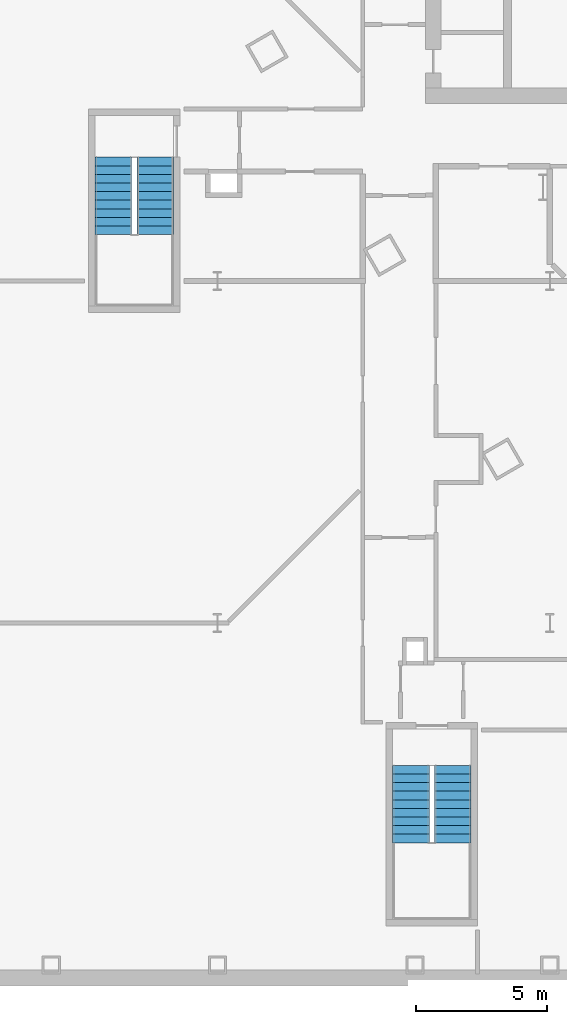
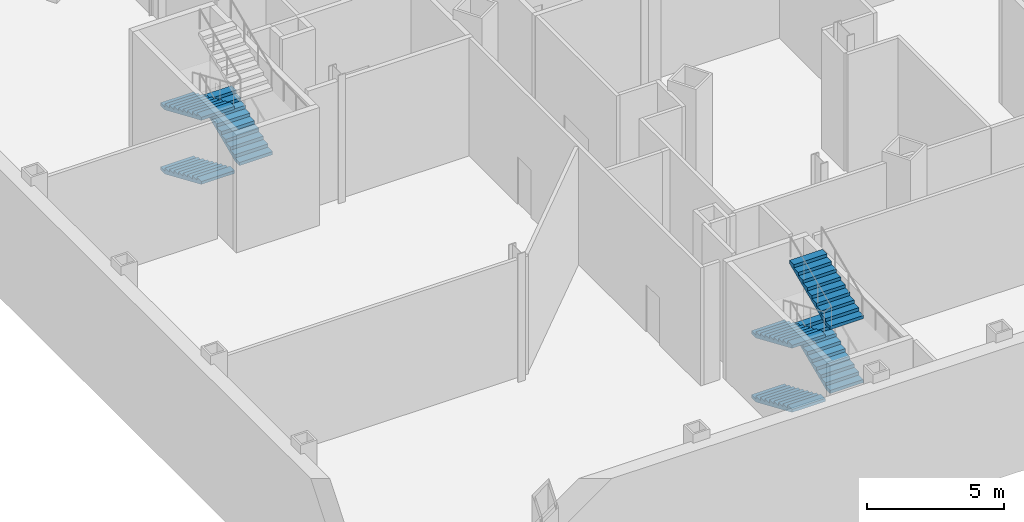
# One storey, part 12 of 18: 7 stair flights, 2 elements without a shape of their own.
"""IFC4 building model written with IfcOpenShell, lengths in metres."""

import ifcopenshell
import ifcopenshell.guid

model = None  # the IFC model being written
_history = None  # IfcOwnerHistory: only IFC2X3 demands one
_inside = {}  # id of a spatial element -> (the spatial element, [elements in it])
_under = {}  # id of a project, library or spatial element -> (it, [spatial elements below it])
_declared = {}  # id of a project -> (the project, [libraries it declares])
_typed = {}  # id of a type object -> (the type object, [elements of that type])
_made_of = {}  # id of a material, layer set ... -> (it, [elements and type objects made of it])


def new_model(schema):
    """Start an empty IFC model of exactly this schema.

    Asked for "IFC4X3", IfcOpenShell would pick the latest addendum, in which some entities
    have other attributes; the version numbers below select the first issue.
    IFC2X3 requires an IfcOwnerHistory on every rooted entity: one is made here for all.
    """
    global model, _history
    if schema == "IFC4X3":
        model = ifcopenshell.file(schema_version=(4, 3, 0, 0))
    else:
        model = ifcopenshell.file(schema=schema)
    _inside.clear()
    _under.clear()
    _declared.clear()
    _typed.clear()
    _made_of.clear()
    _history = None
    if model.schema == "IFC2X3":
        org = make("IfcOrganization", Name="unknown")
        user = make(
            "IfcPersonAndOrganization",
            ThePerson=make("IfcPerson", FamilyName="unknown"),
            TheOrganization=org,
        )
        app = make(
            "IfcApplication",
            ApplicationDeveloper=org,
            Version="unknown",
            ApplicationFullName="unknown",
            ApplicationIdentifier="unknown",
        )
        _history = make(
            "IfcOwnerHistory",
            OwningUser=user,
            OwningApplication=app,
            ChangeAction="ADDED",
            CreationDate=0,
        )
    return model


def make(cls, **values):
    """One entity of the class cls with the attributes given. An attribute that is None is left unset."""
    return model.create_entity(
        cls, **{name: value for name, value in values.items() if value is not None}
    )


def rooted(cls, **values):
    """An entity with a GlobalId (a new one), such as an element, a storey or a relation."""
    return make(cls, GlobalId=ifcopenshell.guid.new(), OwnerHistory=_history, **values)


def si_unit(unit_type, name, prefix=None):
    """IfcSIUnit, for example si_unit("LENGTHUNIT", "METRE", prefix="MILLI")."""
    return make("IfcSIUnit", UnitType=unit_type, Prefix=prefix, Name=name)


def assignment(units):
    """IfcUnitAssignment: the units of a project."""
    return None if units is None else make("IfcUnitAssignment", Units=units)


def point(xyz):
    """IfcCartesianPoint."""
    return None if xyz is None else make("IfcCartesianPoint", Coordinates=xyz)


def direction(xyz):
    """IfcDirection."""
    return None if xyz is None else make("IfcDirection", DirectionRatios=xyz)


def frame(location, z_axis=None, x_axis=None):
    """IfcAxis2Placement3D, a coordinate frame: its origin and axes. An axis left out is left unset."""
    return make(
        "IfcAxis2Placement3D",
        Location=point(location),
        Axis=direction(z_axis),
        RefDirection=direction(x_axis),
    )


def origin():
    """The frame at (0, 0, 0) with its axes left unset."""
    return frame((0.0, 0.0, 0.0))


def place(relative_to, where):
    """IfcLocalPlacement: puts the frame where relative to a parent placement (None: the world)."""
    return make(
        "IfcLocalPlacement", PlacementRelTo=relative_to, RelativePlacement=where
    )


def context(
    kind, dimensions, precision=None, world=None, true_north=None, identifier=None
):
    """IfcGeometricRepresentationContext, for example the 3D "Model" context."""
    return make(
        "IfcGeometricRepresentationContext",
        ContextIdentifier=identifier,
        ContextType=kind,
        CoordinateSpaceDimension=dimensions,
        Precision=precision,
        WorldCoordinateSystem=world,
        TrueNorth=true_north,
    )


def subcontext(parent, identifier, kind, view, scale=None):
    """IfcGeometricRepresentationSubContext, for example "Body" below "Model"."""
    return make(
        "IfcGeometricRepresentationSubContext",
        ContextIdentifier=identifier,
        ContextType=kind,
        ParentContext=parent,
        TargetScale=scale,
        TargetView=view,
    )


def project(units=None, contexts=None):
    """IfcProject with its units and contexts."""
    return rooted(
        "IfcProject",
        Name="project",
        RepresentationContexts=contexts,
        UnitsInContext=assignment(units),
    )


def spatial(cls, under=None, at=None, **own):
    """A site, building, storey or space (cls), placed at a placement, below another one or the project."""
    s = rooted(cls, ObjectPlacement=at, **own)
    if under is not None:
        _under.setdefault(under.id(), (under, []))[1].append(s)
    return s


def point_list(points):
    """IfcCartesianPointList2D or 3D."""
    cls = (
        "IfcCartesianPointList2D" if len(points[0]) == 2 else "IfcCartesianPointList3D"
    )
    return make(cls, CoordList=points)


def polygons(points, faces, closed=None, point_numbers=None):
    """IfcPolygonalFaceSet: a face is its outer loop, then its inner loops; points numbered from 1."""
    made = []
    for loops in faces:
        if len(loops) == 1:
            made.append(make("IfcIndexedPolygonalFace", CoordIndex=loops[0]))
        else:
            made.append(
                make(
                    "IfcIndexedPolygonalFaceWithVoids",
                    CoordIndex=loops[0],
                    InnerCoordIndices=loops[1:],
                )
            )
    return make(
        "IfcPolygonalFaceSet",
        Coordinates=point_list(points),
        Closed=closed,
        Faces=made,
        PnIndex=point_numbers,
    )


def shape(context_of_items, identifier, shape_type, items):
    """IfcShapeRepresentation: the items that make up one representation, for example the "Body"."""
    return make(
        "IfcShapeRepresentation",
        ContextOfItems=context_of_items,
        RepresentationIdentifier=identifier,
        RepresentationType=shape_type,
        Items=items,
    )


def material(Name=None, Category=None):
    """IfcMaterial."""
    return make("IfcMaterial", Name=Name, Category=Category)


def made_of(thing, what):
    """Note that an element or type object is made of a material, layer set ...; save() writes the relation."""
    if what is not None:
        _made_of.setdefault(what.id(), (what, []))[1].append(thing)
    return thing


def type_object(cls, material=None, **own):
    """A type object (cls), such as IfcWallType, which elements share."""
    return made_of(rooted(cls, **own), material)


def element(
    cls,
    number,
    at=None,
    inside=None,
    cuts=None,
    type_object=None,
    material=None,
    context=None,
    identifier="Body",
    shape_type=None,
    held_by="IfcProductDefinitionShape",
    body=None,
    shapes=None,
    **own,
):
    """One element of the class cls, such as IfcWall. Its Tag is "e" and its number.

    at: its placement. inside: the storey or other place that contains it. cuts: it is an
    opening in that element (IfcRelVoidsElement). A single representation is given by context,
    identifier, shape_type and body (its items); several are given by shapes. held_by: the class
    of the entity that holds the representations. save() writes the other relations.
    """
    e = rooted(cls, Tag="e%d" % number, ObjectPlacement=at, **own)
    if body is not None:
        shapes = [shape(context, identifier, shape_type, body)]
    if shapes is not None:
        e.Representation = make(held_by, Representations=shapes)
    if inside is not None:
        _inside.setdefault(inside.id(), (inside, []))[1].append(e)
    if cuts is not None:
        rooted(
            "IfcRelVoidsElement", RelatingBuildingElement=cuts, RelatedOpeningElement=e
        )
    if type_object is not None:
        _typed.setdefault(type_object.id(), (type_object, []))[1].append(e)
    return made_of(e, material)


def aggregate(whole, parts):
    """IfcRelAggregates: a whole, such as a stair, and the parts it consists of."""
    return rooted("IfcRelAggregates", RelatingObject=whole, RelatedObjects=parts)


def save(model, path):
    """Write the relations noted so far, then the file.

    IfcRelAggregates (storeys below a building ...), IfcRelContainedInSpatialStructure (elements
    in a storey), IfcRelDefinesByType, IfcRelAssociatesMaterial and IfcRelDeclares: one each for
    every whole, place, type object, material and project.
    """
    for whole, parts in _under.values():
        aggregate(whole, parts)
    for where, things in _inside.values():
        rooted(
            "IfcRelContainedInSpatialStructure",
            RelatedElements=things,
            RelatingStructure=where,
        )
    for kind, things in _typed.values():
        rooted("IfcRelDefinesByType", RelatedObjects=things, RelatingType=kind)
    for what, things in _made_of.values():
        rooted("IfcRelAssociatesMaterial", RelatedObjects=things, RelatingMaterial=what)
    for by, libraries in _declared.values():
        rooted("IfcRelDeclares", RelatingContext=by, RelatedDefinitions=libraries)
    model.write(path)


model = new_model("IFC4")

# Units and contexts
model_context = context("Model", 3, precision=1e-05, world=origin(), true_north=direction((0.0, 1.0)))
body_context = subcontext(model_context, "Body", "Model", "MODEL_VIEW")
ifc_project = project(units=[si_unit("LENGTHUNIT", "METRE"), si_unit("AREAUNIT", "SQUARE_METRE"), si_unit("VOLUMEUNIT", "CUBIC_METRE"), si_unit("PLANEANGLEUNIT", "RADIAN"), si_unit("MASSUNIT", "GRAM", prefix="KILO")], contexts=[model_context])

# Site, building, storey
site_placement = place(None, origin())
site = spatial("IfcSite", under=ifc_project, at=site_placement, CompositionType="ELEMENT")
building_placement = place(site_placement, origin())
building = spatial("IfcBuilding", under=site, at=building_placement, Name="Njiva Tower", CompositionType="ELEMENT")
storey_placement = place(building_placement, frame((0.0, 0.0, -5.7)))
storey = spatial("IfcBuildingStorey", under=building, at=storey_placement, Name="B1", CompositionType="ELEMENT", Elevation=-5.7)

# Stair, stair flights
ifc_material = material(Name="Concrete C40/50", Category="concrete")
stair_type = type_object("IfcStairType", Name="ST2 Exit stair 1400", PredefinedType="HALF_TURN_STAIR", material=ifc_material)
stair_1_placement = place(storey_placement, origin())
stair_1 = element("IfcStair", 1, at=stair_1_placement, inside=storey, type_object=stair_type, Name="Stair D basement", PredefinedType="DOUBLE_RETURN_STAIR")
stair_flight_type = type_object("IfcStairFlightType", Name="FL2 Stair flight 1400", PredefinedType="STRAIGHT", material=ifc_material)
stair_flight_1_placement = place(storey_placement, frame((-18.05, -25.35, 0.0), z_axis=(0.0, 0.0, 1.0), x_axis=(0.0, -1.0, 0.0)))
stair_flight_1 = element("IfcStairFlight", 2, at=stair_flight_1_placement, type_object=stair_flight_type, Name="ST-DB flight 1", NumberOfRisers=10, NumberOfTreads=9, PredefinedType="STRAIGHT", RiserHeight=0.1425, TreadLength=0.33, context=body_context, shape_type="Tessellation", body=[
    polygons([(0.0, 0.7, 0.0), (0.0, 0.35, 0.0), (0.0, 0.0, 0.0), (0.0, -0.35, 0.0), (0.0, -0.7, 0.0), (0.0, 0.7, 0.1425), (0.0, 0.35, 0.1425), (0.0, 0.0, 0.1425), (0.0, -0.35, 0.1425), (0.0, -0.7, 0.1425), (0.33, 0.7, 0.1425), (0.33, 0.35, 0.1425), (0.33, 0.0, 0.1425), (0.33, -0.35, 0.1425), (0.33, -0.7, 0.1425), (0.33, 0.7, 0.285), (0.33, 0.35, 0.285), (0.33, 0.0, 0.285), (0.33, -0.35, 0.285), (0.33, -0.7, 0.285), (0.66, 0.7, 0.285), (0.66, 0.35, 0.285), (0.66, 0.0, 0.285), (0.66, -0.35, 0.285), (0.66, -0.7, 0.285), (0.66, 0.7, 0.4275), (0.66, 0.35, 0.4275), (0.66, 0.0, 0.4275), (0.66, -0.35, 0.4275), (0.66, -0.7, 0.4275), (0.99, 0.7, 0.4275), (0.99, 0.35, 0.4275), (0.99, 0.0, 0.4275), (0.99, -0.35, 0.4275), (0.99, -0.7, 0.4275), (0.99, 0.7, 0.57), (0.99, 0.35, 0.57), (0.99, 0.0, 0.57), (0.99, -0.35, 0.57), (0.99, -0.7, 0.57), (1.32, 0.7, 0.57), (1.32, 0.35, 0.57), (1.32, 0.0, 0.57), (1.32, -0.35, 0.57), (1.32, -0.7, 0.57), (1.32, 0.7, 0.7125), (1.32, 0.35, 0.7125), (1.32, 0.0, 0.7125), (1.32, -0.35, 0.7125), (1.32, -0.7, 0.7125), (1.65, 0.7, 0.7125), (1.65, 0.35, 0.7125), (1.65, 0.0, 0.7125), (1.65, -0.35, 0.7125), (1.65, -0.7, 0.7125), (1.65, 0.7, 0.855), (1.65, 0.35, 0.855), (1.65, 0.0, 0.855), (1.65, -0.35, 0.855), (1.65, -0.7, 0.855), (1.98, 0.7, 0.855), (1.98, 0.35, 0.855), (1.98, 0.0, 0.855), (1.98, -0.35, 0.855), (1.98, -0.7, 0.855), (1.98, 0.7, 0.9975), (1.98, 0.35, 0.9975), (1.98, 0.0, 0.9975), (1.98, -0.35, 0.9975), (1.98, -0.7, 0.9975), (2.31, 0.7, 0.9975), (2.31, 0.35, 0.9975), (2.31, 0.0, 0.9975), (2.31, -0.35, 0.9975), (2.31, -0.7, 0.9975), (2.31, 0.7, 1.14), (2.31, 0.35, 1.14), (2.31, 0.0, 1.14), (2.31, -0.35, 1.14), (2.31, -0.7, 1.14), (2.64, 0.7, 1.14), (2.64, 0.35, 1.14), (2.64, 0.0, 1.14), (2.64, -0.35, 1.14), (2.64, -0.7, 1.14), (2.64, 0.7, 1.2825), (2.64, 0.35, 1.2825), (2.64, 0.0, 1.2825), (2.64, -0.35, 1.2825), (2.64, -0.7, 1.2825), (2.97, 0.7, 1.2825), (2.97, 0.35, 1.2825), (2.97, 0.0, 1.2825), (2.97, -0.35, 1.2825), (2.97, -0.7, 1.2825), (2.97, 0.7, 1.1518), (2.97, 0.35, 1.1518), (2.97, 0.0, 1.1518), (2.97, -0.35, 1.1518), (2.97, -0.7, 1.1518), (0.3027, 0.7, 0.0), (0.3027, 0.35, 0.0), (0.3027, 0.0, 0.0), (0.3027, -0.35, 0.0), (0.3027, -0.7, 0.0)], [[[1, 6, 11, 16, 21, 26, 31, 36, 41, 46, 51, 56, 61, 66, 71, 76, 81, 86, 91, 96, 101]], [[105, 100, 95, 90, 85, 80, 75, 70, 65, 60, 55, 50, 45, 40, 35, 30, 25, 20, 15, 10, 5]], [[6, 1, 2, 7]], [[7, 2, 3, 8]], [[8, 3, 4, 9]], [[9, 4, 5, 10]], [[11, 6, 7, 12]], [[12, 7, 8, 13]], [[13, 8, 9, 14]], [[14, 9, 10, 15]], [[16, 11, 12, 17]], [[17, 12, 13, 18]], [[18, 13, 14, 19]], [[19, 14, 15, 20]], [[21, 16, 17, 22]], [[22, 17, 18, 23]], [[23, 18, 19, 24]], [[24, 19, 20, 25]], [[26, 21, 22, 27]], [[27, 22, 23, 28]], [[28, 23, 24, 29]], [[29, 24, 25, 30]], [[31, 26, 27, 32]], [[32, 27, 28, 33]], [[33, 28, 29, 34]], [[34, 29, 30, 35]], [[36, 31, 32, 37]], [[37, 32, 33, 38]], [[38, 33, 34, 39]], [[39, 34, 35, 40]], [[41, 36, 37, 42]], [[42, 37, 38, 43]], [[43, 38, 39, 44]], [[44, 39, 40, 45]], [[46, 41, 42, 47]], [[47, 42, 43, 48]], [[48, 43, 44, 49]], [[49, 44, 45, 50]], [[51, 46, 47, 52]], [[52, 47, 48, 53]], [[53, 48, 49, 54]], [[54, 49, 50, 55]], [[56, 51, 52, 57]], [[57, 52, 53, 58]], [[58, 53, 54, 59]], [[59, 54, 55, 60]], [[61, 56, 57, 62]], [[62, 57, 58, 63]], [[63, 58, 59, 64]], [[64, 59, 60, 65]], [[66, 61, 62, 67]], [[67, 62, 63, 68]], [[68, 63, 64, 69]], [[69, 64, 65, 70]], [[71, 66, 67, 72]], [[72, 67, 68, 73]], [[73, 68, 69, 74]], [[74, 69, 70, 75]], [[76, 71, 72, 77]], [[77, 72, 73, 78]], [[78, 73, 74, 79]], [[79, 74, 75, 80]], [[81, 76, 77, 82]], [[82, 77, 78, 83]], [[83, 78, 79, 84]], [[84, 79, 80, 85]], [[86, 81, 82, 87]], [[87, 82, 83, 88]], [[88, 83, 84, 89]], [[89, 84, 85, 90]], [[91, 86, 87, 92]], [[92, 87, 88, 93]], [[93, 88, 89, 94]], [[94, 89, 90, 95]], [[96, 91, 92, 97]], [[97, 92, 93, 98]], [[98, 93, 94, 99]], [[99, 94, 95, 100]], [[101, 96, 97, 102]], [[102, 97, 98, 103]], [[103, 98, 99, 104]], [[104, 99, 100, 105]], [[1, 101, 102, 2]], [[2, 102, 103, 3]], [[3, 103, 104, 4]], [[4, 104, 105, 5]]], closed=True),
])
stair_flight_2_placement = place(storey_placement, frame((-16.45, -28.32, 1.425), z_axis=(0.0, 0.0, 1.0), x_axis=(0.0, 1.0, 0.0)))
stair_flight_2 = element("IfcStairFlight", 3, at=stair_flight_2_placement, type_object=stair_flight_type, Name="ST-DB flight 2", NumberOfRisers=10, NumberOfTreads=9, PredefinedType="STRAIGHT", RiserHeight=0.1425, TreadLength=0.33, context=body_context, shape_type="Tessellation", body=[
    polygons([(0.0, 0.7, 0.0), (0.0, 0.35, 0.0), (0.0, 0.0, 0.0), (0.0, -0.35, 0.0), (0.0, -0.7, 0.0), (0.0, 0.7, 0.1425), (0.0, 0.35, 0.1425), (0.0, 0.0, 0.1425), (0.0, -0.35, 0.1425), (0.0, -0.7, 0.1425), (0.33, 0.7, 0.1425), (0.33, 0.35, 0.1425), (0.33, 0.0, 0.1425), (0.33, -0.35, 0.1425), (0.33, -0.7, 0.1425), (0.33, 0.7, 0.285), (0.33, 0.35, 0.285), (0.33, 0.0, 0.285), (0.33, -0.35, 0.285), (0.33, -0.7, 0.285), (0.66, 0.7, 0.285), (0.66, 0.35, 0.285), (0.66, 0.0, 0.285), (0.66, -0.35, 0.285), (0.66, -0.7, 0.285), (0.66, 0.7, 0.4275), (0.66, 0.35, 0.4275), (0.66, 0.0, 0.4275), (0.66, -0.35, 0.4275), (0.66, -0.7, 0.4275), (0.99, 0.7, 0.4275), (0.99, 0.35, 0.4275), (0.99, 0.0, 0.4275), (0.99, -0.35, 0.4275), (0.99, -0.7, 0.4275), (0.99, 0.7, 0.57), (0.99, 0.35, 0.57), (0.99, 0.0, 0.57), (0.99, -0.35, 0.57), (0.99, -0.7, 0.57), (1.32, 0.7, 0.57), (1.32, 0.35, 0.57), (1.32, 0.0, 0.57), (1.32, -0.35, 0.57), (1.32, -0.7, 0.57), (1.32, 0.7, 0.7125), (1.32, 0.35, 0.7125), (1.32, 0.0, 0.7125), (1.32, -0.35, 0.7125), (1.32, -0.7, 0.7125), (1.65, 0.7, 0.7125), (1.65, 0.35, 0.7125), (1.65, 0.0, 0.7125), (1.65, -0.35, 0.7125), (1.65, -0.7, 0.7125), (1.65, 0.7, 0.855), (1.65, 0.35, 0.855), (1.65, 0.0, 0.855), (1.65, -0.35, 0.855), (1.65, -0.7, 0.855), (1.98, 0.7, 0.855), (1.98, 0.35, 0.855), (1.98, 0.0, 0.855), (1.98, -0.35, 0.855), (1.98, -0.7, 0.855), (1.98, 0.7, 0.9975), (1.98, 0.35, 0.9975), (1.98, 0.0, 0.9975), (1.98, -0.35, 0.9975), (1.98, -0.7, 0.9975), (2.31, 0.7, 0.9975), (2.31, 0.35, 0.9975), (2.31, 0.0, 0.9975), (2.31, -0.35, 0.9975), (2.31, -0.7, 0.9975), (2.31, 0.7, 1.14), (2.31, 0.35, 1.14), (2.31, 0.0, 1.14), (2.31, -0.35, 1.14), (2.31, -0.7, 1.14), (2.64, 0.7, 1.14), (2.64, 0.35, 1.14), (2.64, 0.0, 1.14), (2.64, -0.35, 1.14), (2.64, -0.7, 1.14), (2.64, 0.7, 1.2825), (2.64, 0.35, 1.2825), (2.64, 0.0, 1.2825), (2.64, -0.35, 1.2825), (2.64, -0.7, 1.2825), (2.97, 0.7, 1.2825), (2.97, 0.35, 1.2825), (2.97, 0.0, 1.2825), (2.97, -0.35, 1.2825), (2.97, -0.7, 1.2825), (2.97, 0.7, 1.1518), (2.97, 0.35, 1.1518), (2.97, 0.0, 1.1518), (2.97, -0.35, 1.1518), (2.97, -0.7, 1.1518), (0.3027, 0.7, 0.0), (0.3027, 0.35, 0.0), (0.3027, 0.0, 0.0), (0.3027, -0.35, 0.0), (0.3027, -0.7, 0.0)], [[[1, 6, 11, 16, 21, 26, 31, 36, 41, 46, 51, 56, 61, 66, 71, 76, 81, 86, 91, 96, 101]], [[105, 100, 95, 90, 85, 80, 75, 70, 65, 60, 55, 50, 45, 40, 35, 30, 25, 20, 15, 10, 5]], [[6, 1, 2, 7]], [[7, 2, 3, 8]], [[8, 3, 4, 9]], [[9, 4, 5, 10]], [[11, 6, 7, 12]], [[12, 7, 8, 13]], [[13, 8, 9, 14]], [[14, 9, 10, 15]], [[16, 11, 12, 17]], [[17, 12, 13, 18]], [[18, 13, 14, 19]], [[19, 14, 15, 20]], [[21, 16, 17, 22]], [[22, 17, 18, 23]], [[23, 18, 19, 24]], [[24, 19, 20, 25]], [[26, 21, 22, 27]], [[27, 22, 23, 28]], [[28, 23, 24, 29]], [[29, 24, 25, 30]], [[31, 26, 27, 32]], [[32, 27, 28, 33]], [[33, 28, 29, 34]], [[34, 29, 30, 35]], [[36, 31, 32, 37]], [[37, 32, 33, 38]], [[38, 33, 34, 39]], [[39, 34, 35, 40]], [[41, 36, 37, 42]], [[42, 37, 38, 43]], [[43, 38, 39, 44]], [[44, 39, 40, 45]], [[46, 41, 42, 47]], [[47, 42, 43, 48]], [[48, 43, 44, 49]], [[49, 44, 45, 50]], [[51, 46, 47, 52]], [[52, 47, 48, 53]], [[53, 48, 49, 54]], [[54, 49, 50, 55]], [[56, 51, 52, 57]], [[57, 52, 53, 58]], [[58, 53, 54, 59]], [[59, 54, 55, 60]], [[61, 56, 57, 62]], [[62, 57, 58, 63]], [[63, 58, 59, 64]], [[64, 59, 60, 65]], [[66, 61, 62, 67]], [[67, 62, 63, 68]], [[68, 63, 64, 69]], [[69, 64, 65, 70]], [[71, 66, 67, 72]], [[72, 67, 68, 73]], [[73, 68, 69, 74]], [[74, 69, 70, 75]], [[76, 71, 72, 77]], [[77, 72, 73, 78]], [[78, 73, 74, 79]], [[79, 74, 75, 80]], [[81, 76, 77, 82]], [[82, 77, 78, 83]], [[83, 78, 79, 84]], [[84, 79, 80, 85]], [[86, 81, 82, 87]], [[87, 82, 83, 88]], [[88, 83, 84, 89]], [[89, 84, 85, 90]], [[91, 86, 87, 92]], [[92, 87, 88, 93]], [[93, 88, 89, 94]], [[94, 89, 90, 95]], [[96, 91, 92, 97]], [[97, 92, 93, 98]], [[98, 93, 94, 99]], [[99, 94, 95, 100]], [[101, 96, 97, 102]], [[102, 97, 98, 103]], [[103, 98, 99, 104]], [[104, 99, 100, 105]], [[1, 101, 102, 2]], [[2, 102, 103, 3]], [[3, 103, 104, 4]], [[4, 104, 105, 5]]], closed=True),
])
stair_flight_3_placement = place(storey_placement, frame((-18.05, -25.35, 2.85), z_axis=(0.0, 0.0, 1.0), x_axis=(0.0, -1.0, 0.0)))
stair_flight_3 = element("IfcStairFlight", 4, at=stair_flight_3_placement, type_object=stair_flight_type, Name="ST-DB flight 3", NumberOfRisers=10, NumberOfTreads=9, PredefinedType="STRAIGHT", RiserHeight=0.1425, TreadLength=0.33, context=body_context, shape_type="Tessellation", body=[
    polygons([(0.0, 0.7, 0.0), (0.0, 0.35, 0.0), (0.0, 0.0, 0.0), (0.0, -0.35, 0.0), (0.0, -0.7, 0.0), (0.0, 0.7, 0.1425), (0.0, 0.35, 0.1425), (0.0, 0.0, 0.1425), (0.0, -0.35, 0.1425), (0.0, -0.7, 0.1425), (0.33, 0.7, 0.1425), (0.33, 0.35, 0.1425), (0.33, 0.0, 0.1425), (0.33, -0.35, 0.1425), (0.33, -0.7, 0.1425), (0.33, 0.7, 0.285), (0.33, 0.35, 0.285), (0.33, 0.0, 0.285), (0.33, -0.35, 0.285), (0.33, -0.7, 0.285), (0.66, 0.7, 0.285), (0.66, 0.35, 0.285), (0.66, 0.0, 0.285), (0.66, -0.35, 0.285), (0.66, -0.7, 0.285), (0.66, 0.7, 0.4275), (0.66, 0.35, 0.4275), (0.66, 0.0, 0.4275), (0.66, -0.35, 0.4275), (0.66, -0.7, 0.4275), (0.99, 0.7, 0.4275), (0.99, 0.35, 0.4275), (0.99, 0.0, 0.4275), (0.99, -0.35, 0.4275), (0.99, -0.7, 0.4275), (0.99, 0.7, 0.57), (0.99, 0.35, 0.57), (0.99, 0.0, 0.57), (0.99, -0.35, 0.57), (0.99, -0.7, 0.57), (1.32, 0.7, 0.57), (1.32, 0.35, 0.57), (1.32, 0.0, 0.57), (1.32, -0.35, 0.57), (1.32, -0.7, 0.57), (1.32, 0.7, 0.7125), (1.32, 0.35, 0.7125), (1.32, 0.0, 0.7125), (1.32, -0.35, 0.7125), (1.32, -0.7, 0.7125), (1.65, 0.7, 0.7125), (1.65, 0.35, 0.7125), (1.65, 0.0, 0.7125), (1.65, -0.35, 0.7125), (1.65, -0.7, 0.7125), (1.65, 0.7, 0.855), (1.65, 0.35, 0.855), (1.65, 0.0, 0.855), (1.65, -0.35, 0.855), (1.65, -0.7, 0.855), (1.98, 0.7, 0.855), (1.98, 0.35, 0.855), (1.98, 0.0, 0.855), (1.98, -0.35, 0.855), (1.98, -0.7, 0.855), (1.98, 0.7, 0.9975), (1.98, 0.35, 0.9975), (1.98, 0.0, 0.9975), (1.98, -0.35, 0.9975), (1.98, -0.7, 0.9975), (2.31, 0.7, 0.9975), (2.31, 0.35, 0.9975), (2.31, 0.0, 0.9975), (2.31, -0.35, 0.9975), (2.31, -0.7, 0.9975), (2.31, 0.7, 1.14), (2.31, 0.35, 1.14), (2.31, 0.0, 1.14), (2.31, -0.35, 1.14), (2.31, -0.7, 1.14), (2.64, 0.7, 1.14), (2.64, 0.35, 1.14), (2.64, 0.0, 1.14), (2.64, -0.35, 1.14), (2.64, -0.7, 1.14), (2.64, 0.7, 1.2825), (2.64, 0.35, 1.2825), (2.64, 0.0, 1.2825), (2.64, -0.35, 1.2825), (2.64, -0.7, 1.2825), (2.97, 0.7, 1.2825), (2.97, 0.35, 1.2825), (2.97, 0.0, 1.2825), (2.97, -0.35, 1.2825), (2.97, -0.7, 1.2825), (2.97, 0.7, 1.1518), (2.97, 0.35, 1.1518), (2.97, 0.0, 1.1518), (2.97, -0.35, 1.1518), (2.97, -0.7, 1.1518), (0.3027, 0.7, 0.0), (0.3027, 0.35, 0.0), (0.3027, 0.0, 0.0), (0.3027, -0.35, 0.0), (0.3027, -0.7, 0.0)], [[[1, 6, 11, 16, 21, 26, 31, 36, 41, 46, 51, 56, 61, 66, 71, 76, 81, 86, 91, 96, 101]], [[105, 100, 95, 90, 85, 80, 75, 70, 65, 60, 55, 50, 45, 40, 35, 30, 25, 20, 15, 10, 5]], [[6, 1, 2, 7]], [[7, 2, 3, 8]], [[8, 3, 4, 9]], [[9, 4, 5, 10]], [[11, 6, 7, 12]], [[12, 7, 8, 13]], [[13, 8, 9, 14]], [[14, 9, 10, 15]], [[16, 11, 12, 17]], [[17, 12, 13, 18]], [[18, 13, 14, 19]], [[19, 14, 15, 20]], [[21, 16, 17, 22]], [[22, 17, 18, 23]], [[23, 18, 19, 24]], [[24, 19, 20, 25]], [[26, 21, 22, 27]], [[27, 22, 23, 28]], [[28, 23, 24, 29]], [[29, 24, 25, 30]], [[31, 26, 27, 32]], [[32, 27, 28, 33]], [[33, 28, 29, 34]], [[34, 29, 30, 35]], [[36, 31, 32, 37]], [[37, 32, 33, 38]], [[38, 33, 34, 39]], [[39, 34, 35, 40]], [[41, 36, 37, 42]], [[42, 37, 38, 43]], [[43, 38, 39, 44]], [[44, 39, 40, 45]], [[46, 41, 42, 47]], [[47, 42, 43, 48]], [[48, 43, 44, 49]], [[49, 44, 45, 50]], [[51, 46, 47, 52]], [[52, 47, 48, 53]], [[53, 48, 49, 54]], [[54, 49, 50, 55]], [[56, 51, 52, 57]], [[57, 52, 53, 58]], [[58, 53, 54, 59]], [[59, 54, 55, 60]], [[61, 56, 57, 62]], [[62, 57, 58, 63]], [[63, 58, 59, 64]], [[64, 59, 60, 65]], [[66, 61, 62, 67]], [[67, 62, 63, 68]], [[68, 63, 64, 69]], [[69, 64, 65, 70]], [[71, 66, 67, 72]], [[72, 67, 68, 73]], [[73, 68, 69, 74]], [[74, 69, 70, 75]], [[76, 71, 72, 77]], [[77, 72, 73, 78]], [[78, 73, 74, 79]], [[79, 74, 75, 80]], [[81, 76, 77, 82]], [[82, 77, 78, 83]], [[83, 78, 79, 84]], [[84, 79, 80, 85]], [[86, 81, 82, 87]], [[87, 82, 83, 88]], [[88, 83, 84, 89]], [[89, 84, 85, 90]], [[91, 86, 87, 92]], [[92, 87, 88, 93]], [[93, 88, 89, 94]], [[94, 89, 90, 95]], [[96, 91, 92, 97]], [[97, 92, 93, 98]], [[98, 93, 94, 99]], [[99, 94, 95, 100]], [[101, 96, 97, 102]], [[102, 97, 98, 103]], [[103, 98, 99, 104]], [[104, 99, 100, 105]], [[1, 101, 102, 2]], [[2, 102, 103, 3]], [[3, 103, 104, 4]], [[4, 104, 105, 5]]], closed=True),
])
stair_flight_4_placement = place(storey_placement, frame((-16.45, -28.32, 4.275), z_axis=(0.0, 0.0, 1.0), x_axis=(0.0, 1.0, 0.0)))
stair_flight_4 = element("IfcStairFlight", 5, at=stair_flight_4_placement, type_object=stair_flight_type, Name="ST-DB flight 4", NumberOfRisers=10, NumberOfTreads=9, PredefinedType="STRAIGHT", RiserHeight=0.1425, TreadLength=0.33, context=body_context, shape_type="Tessellation", body=[
    polygons([(0.0, 0.7, 0.0), (0.0, 0.35, 0.0), (0.0, 0.0, 0.0), (0.0, -0.35, 0.0), (0.0, -0.7, 0.0), (0.0, 0.7, 0.1425), (0.0, 0.35, 0.1425), (0.0, 0.0, 0.1425), (0.0, -0.35, 0.1425), (0.0, -0.7, 0.1425), (0.33, 0.7, 0.1425), (0.33, 0.35, 0.1425), (0.33, 0.0, 0.1425), (0.33, -0.35, 0.1425), (0.33, -0.7, 0.1425), (0.33, 0.7, 0.285), (0.33, 0.35, 0.285), (0.33, 0.0, 0.285), (0.33, -0.35, 0.285), (0.33, -0.7, 0.285), (0.66, 0.7, 0.285), (0.66, 0.35, 0.285), (0.66, 0.0, 0.285), (0.66, -0.35, 0.285), (0.66, -0.7, 0.285), (0.66, 0.7, 0.4275), (0.66, 0.35, 0.4275), (0.66, 0.0, 0.4275), (0.66, -0.35, 0.4275), (0.66, -0.7, 0.4275), (0.99, 0.7, 0.4275), (0.99, 0.35, 0.4275), (0.99, 0.0, 0.4275), (0.99, -0.35, 0.4275), (0.99, -0.7, 0.4275), (0.99, 0.7, 0.57), (0.99, 0.35, 0.57), (0.99, 0.0, 0.57), (0.99, -0.35, 0.57), (0.99, -0.7, 0.57), (1.32, 0.7, 0.57), (1.32, 0.35, 0.57), (1.32, 0.0, 0.57), (1.32, -0.35, 0.57), (1.32, -0.7, 0.57), (1.32, 0.7, 0.7125), (1.32, 0.35, 0.7125), (1.32, 0.0, 0.7125), (1.32, -0.35, 0.7125), (1.32, -0.7, 0.7125), (1.65, 0.7, 0.7125), (1.65, 0.35, 0.7125), (1.65, 0.0, 0.7125), (1.65, -0.35, 0.7125), (1.65, -0.7, 0.7125), (1.65, 0.7, 0.855), (1.65, 0.35, 0.855), (1.65, 0.0, 0.855), (1.65, -0.35, 0.855), (1.65, -0.7, 0.855), (1.98, 0.7, 0.855), (1.98, 0.35, 0.855), (1.98, 0.0, 0.855), (1.98, -0.35, 0.855), (1.98, -0.7, 0.855), (1.98, 0.7, 0.9975), (1.98, 0.35, 0.9975), (1.98, 0.0, 0.9975), (1.98, -0.35, 0.9975), (1.98, -0.7, 0.9975), (2.31, 0.7, 0.9975), (2.31, 0.35, 0.9975), (2.31, 0.0, 0.9975), (2.31, -0.35, 0.9975), (2.31, -0.7, 0.9975), (2.31, 0.7, 1.14), (2.31, 0.35, 1.14), (2.31, 0.0, 1.14), (2.31, -0.35, 1.14), (2.31, -0.7, 1.14), (2.64, 0.7, 1.14), (2.64, 0.35, 1.14), (2.64, 0.0, 1.14), (2.64, -0.35, 1.14), (2.64, -0.7, 1.14), (2.64, 0.7, 1.2825), (2.64, 0.35, 1.2825), (2.64, 0.0, 1.2825), (2.64, -0.35, 1.2825), (2.64, -0.7, 1.2825), (2.97, 0.7, 1.2825), (2.97, 0.35, 1.2825), (2.97, 0.0, 1.2825), (2.97, -0.35, 1.2825), (2.97, -0.7, 1.2825), (2.97, 0.7, 1.1518), (2.97, 0.35, 1.1518), (2.97, 0.0, 1.1518), (2.97, -0.35, 1.1518), (2.97, -0.7, 1.1518), (0.3027, 0.7, 0.0), (0.3027, 0.35, 0.0), (0.3027, 0.0, 0.0), (0.3027, -0.35, 0.0), (0.3027, -0.7, 0.0)], [[[1, 6, 11, 16, 21, 26, 31, 36, 41, 46, 51, 56, 61, 66, 71, 76, 81, 86, 91, 96, 101]], [[105, 100, 95, 90, 85, 80, 75, 70, 65, 60, 55, 50, 45, 40, 35, 30, 25, 20, 15, 10, 5]], [[6, 1, 2, 7]], [[7, 2, 3, 8]], [[8, 3, 4, 9]], [[9, 4, 5, 10]], [[11, 6, 7, 12]], [[12, 7, 8, 13]], [[13, 8, 9, 14]], [[14, 9, 10, 15]], [[16, 11, 12, 17]], [[17, 12, 13, 18]], [[18, 13, 14, 19]], [[19, 14, 15, 20]], [[21, 16, 17, 22]], [[22, 17, 18, 23]], [[23, 18, 19, 24]], [[24, 19, 20, 25]], [[26, 21, 22, 27]], [[27, 22, 23, 28]], [[28, 23, 24, 29]], [[29, 24, 25, 30]], [[31, 26, 27, 32]], [[32, 27, 28, 33]], [[33, 28, 29, 34]], [[34, 29, 30, 35]], [[36, 31, 32, 37]], [[37, 32, 33, 38]], [[38, 33, 34, 39]], [[39, 34, 35, 40]], [[41, 36, 37, 42]], [[42, 37, 38, 43]], [[43, 38, 39, 44]], [[44, 39, 40, 45]], [[46, 41, 42, 47]], [[47, 42, 43, 48]], [[48, 43, 44, 49]], [[49, 44, 45, 50]], [[51, 46, 47, 52]], [[52, 47, 48, 53]], [[53, 48, 49, 54]], [[54, 49, 50, 55]], [[56, 51, 52, 57]], [[57, 52, 53, 58]], [[58, 53, 54, 59]], [[59, 54, 55, 60]], [[61, 56, 57, 62]], [[62, 57, 58, 63]], [[63, 58, 59, 64]], [[64, 59, 60, 65]], [[66, 61, 62, 67]], [[67, 62, 63, 68]], [[68, 63, 64, 69]], [[69, 64, 65, 70]], [[71, 66, 67, 72]], [[72, 67, 68, 73]], [[73, 68, 69, 74]], [[74, 69, 70, 75]], [[76, 71, 72, 77]], [[77, 72, 73, 78]], [[78, 73, 74, 79]], [[79, 74, 75, 80]], [[81, 76, 77, 82]], [[82, 77, 78, 83]], [[83, 78, 79, 84]], [[84, 79, 80, 85]], [[86, 81, 82, 87]], [[87, 82, 83, 88]], [[88, 83, 84, 89]], [[89, 84, 85, 90]], [[91, 86, 87, 92]], [[92, 87, 88, 93]], [[93, 88, 89, 94]], [[94, 89, 90, 95]], [[96, 91, 92, 97]], [[97, 92, 93, 98]], [[98, 93, 94, 99]], [[99, 94, 95, 100]], [[101, 96, 97, 102]], [[102, 97, 98, 103]], [[103, 98, 99, 104]], [[104, 99, 100, 105]], [[1, 101, 102, 2]], [[2, 102, 103, 3]], [[3, 103, 104, 4]], [[4, 104, 105, 5]]], closed=True),
])
aggregate(stair_1, [stair_flight_1, stair_flight_2, stair_flight_3, stair_flight_4])

stair_2_placement = place(storey_placement, origin())
stair_2 = element("IfcStair", 6, at=stair_2_placement, inside=storey, type_object=stair_type, Name="Stair F basement", PredefinedType="DOUBLE_RETURN_STAIR")
stair_flight_5_placement = place(storey_placement, frame((-29.45, -2.05, 0.0), z_axis=(0.0, 0.0, 1.0), x_axis=(0.0, -1.0, 0.0)))
stair_flight_5 = element("IfcStairFlight", 7, at=stair_flight_5_placement, type_object=stair_flight_type, Name="ST-FB flight 1", NumberOfRisers=10, NumberOfTreads=9, PredefinedType="STRAIGHT", RiserHeight=0.1425, TreadLength=0.33, context=body_context, shape_type="Tessellation", body=[
    polygons([(0.0, 0.7, 0.0), (0.0, 0.35, 0.0), (0.0, 0.0, 0.0), (0.0, -0.35, 0.0), (0.0, -0.7, 0.0), (0.0, 0.7, 0.1425), (0.0, 0.35, 0.1425), (0.0, 0.0, 0.1425), (0.0, -0.35, 0.1425), (0.0, -0.7, 0.1425), (0.33, 0.7, 0.1425), (0.33, 0.35, 0.1425), (0.33, 0.0, 0.1425), (0.33, -0.35, 0.1425), (0.33, -0.7, 0.1425), (0.33, 0.7, 0.285), (0.33, 0.35, 0.285), (0.33, 0.0, 0.285), (0.33, -0.35, 0.285), (0.33, -0.7, 0.285), (0.66, 0.7, 0.285), (0.66, 0.35, 0.285), (0.66, 0.0, 0.285), (0.66, -0.35, 0.285), (0.66, -0.7, 0.285), (0.66, 0.7, 0.4275), (0.66, 0.35, 0.4275), (0.66, 0.0, 0.4275), (0.66, -0.35, 0.4275), (0.66, -0.7, 0.4275), (0.99, 0.7, 0.4275), (0.99, 0.35, 0.4275), (0.99, 0.0, 0.4275), (0.99, -0.35, 0.4275), (0.99, -0.7, 0.4275), (0.99, 0.7, 0.57), (0.99, 0.35, 0.57), (0.99, 0.0, 0.57), (0.99, -0.35, 0.57), (0.99, -0.7, 0.57), (1.32, 0.7, 0.57), (1.32, 0.35, 0.57), (1.32, 0.0, 0.57), (1.32, -0.35, 0.57), (1.32, -0.7, 0.57), (1.32, 0.7, 0.7125), (1.32, 0.35, 0.7125), (1.32, 0.0, 0.7125), (1.32, -0.35, 0.7125), (1.32, -0.7, 0.7125), (1.65, 0.7, 0.7125), (1.65, 0.35, 0.7125), (1.65, 0.0, 0.7125), (1.65, -0.35, 0.7125), (1.65, -0.7, 0.7125), (1.65, 0.7, 0.855), (1.65, 0.35, 0.855), (1.65, 0.0, 0.855), (1.65, -0.35, 0.855), (1.65, -0.7, 0.855), (1.98, 0.7, 0.855), (1.98, 0.35, 0.855), (1.98, 0.0, 0.855), (1.98, -0.35, 0.855), (1.98, -0.7, 0.855), (1.98, 0.7, 0.9975), (1.98, 0.35, 0.9975), (1.98, 0.0, 0.9975), (1.98, -0.35, 0.9975), (1.98, -0.7, 0.9975), (2.31, 0.7, 0.9975), (2.31, 0.35, 0.9975), (2.31, 0.0, 0.9975), (2.31, -0.35, 0.9975), (2.31, -0.7, 0.9975), (2.31, 0.7, 1.14), (2.31, 0.35, 1.14), (2.31, 0.0, 1.14), (2.31, -0.35, 1.14), (2.31, -0.7, 1.14), (2.64, 0.7, 1.14), (2.64, 0.35, 1.14), (2.64, 0.0, 1.14), (2.64, -0.35, 1.14), (2.64, -0.7, 1.14), (2.64, 0.7, 1.2825), (2.64, 0.35, 1.2825), (2.64, 0.0, 1.2825), (2.64, -0.35, 1.2825), (2.64, -0.7, 1.2825), (2.97, 0.7, 1.2825), (2.97, 0.35, 1.2825), (2.97, 0.0, 1.2825), (2.97, -0.35, 1.2825), (2.97, -0.7, 1.2825), (2.97, 0.7, 1.1518), (2.97, 0.35, 1.1518), (2.97, 0.0, 1.1518), (2.97, -0.35, 1.1518), (2.97, -0.7, 1.1518), (0.3027, 0.7, 0.0), (0.3027, 0.35, 0.0), (0.3027, 0.0, 0.0), (0.3027, -0.35, 0.0), (0.3027, -0.7, 0.0)], [[[1, 6, 11, 16, 21, 26, 31, 36, 41, 46, 51, 56, 61, 66, 71, 76, 81, 86, 91, 96, 101]], [[105, 100, 95, 90, 85, 80, 75, 70, 65, 60, 55, 50, 45, 40, 35, 30, 25, 20, 15, 10, 5]], [[6, 1, 2, 7]], [[7, 2, 3, 8]], [[8, 3, 4, 9]], [[9, 4, 5, 10]], [[11, 6, 7, 12]], [[12, 7, 8, 13]], [[13, 8, 9, 14]], [[14, 9, 10, 15]], [[16, 11, 12, 17]], [[17, 12, 13, 18]], [[18, 13, 14, 19]], [[19, 14, 15, 20]], [[21, 16, 17, 22]], [[22, 17, 18, 23]], [[23, 18, 19, 24]], [[24, 19, 20, 25]], [[26, 21, 22, 27]], [[27, 22, 23, 28]], [[28, 23, 24, 29]], [[29, 24, 25, 30]], [[31, 26, 27, 32]], [[32, 27, 28, 33]], [[33, 28, 29, 34]], [[34, 29, 30, 35]], [[36, 31, 32, 37]], [[37, 32, 33, 38]], [[38, 33, 34, 39]], [[39, 34, 35, 40]], [[41, 36, 37, 42]], [[42, 37, 38, 43]], [[43, 38, 39, 44]], [[44, 39, 40, 45]], [[46, 41, 42, 47]], [[47, 42, 43, 48]], [[48, 43, 44, 49]], [[49, 44, 45, 50]], [[51, 46, 47, 52]], [[52, 47, 48, 53]], [[53, 48, 49, 54]], [[54, 49, 50, 55]], [[56, 51, 52, 57]], [[57, 52, 53, 58]], [[58, 53, 54, 59]], [[59, 54, 55, 60]], [[61, 56, 57, 62]], [[62, 57, 58, 63]], [[63, 58, 59, 64]], [[64, 59, 60, 65]], [[66, 61, 62, 67]], [[67, 62, 63, 68]], [[68, 63, 64, 69]], [[69, 64, 65, 70]], [[71, 66, 67, 72]], [[72, 67, 68, 73]], [[73, 68, 69, 74]], [[74, 69, 70, 75]], [[76, 71, 72, 77]], [[77, 72, 73, 78]], [[78, 73, 74, 79]], [[79, 74, 75, 80]], [[81, 76, 77, 82]], [[82, 77, 78, 83]], [[83, 78, 79, 84]], [[84, 79, 80, 85]], [[86, 81, 82, 87]], [[87, 82, 83, 88]], [[88, 83, 84, 89]], [[89, 84, 85, 90]], [[91, 86, 87, 92]], [[92, 87, 88, 93]], [[93, 88, 89, 94]], [[94, 89, 90, 95]], [[96, 91, 92, 97]], [[97, 92, 93, 98]], [[98, 93, 94, 99]], [[99, 94, 95, 100]], [[101, 96, 97, 102]], [[102, 97, 98, 103]], [[103, 98, 99, 104]], [[104, 99, 100, 105]], [[1, 101, 102, 2]], [[2, 102, 103, 3]], [[3, 103, 104, 4]], [[4, 104, 105, 5]]], closed=True),
])
stair_flight_6_placement = place(storey_placement, frame((-27.85, -5.02, 1.425), z_axis=(0.0, 0.0, 1.0), x_axis=(0.0, 1.0, 0.0)))
stair_flight_6 = element("IfcStairFlight", 8, at=stair_flight_6_placement, type_object=stair_flight_type, Name="ST-FB flight 2", NumberOfRisers=10, NumberOfTreads=9, PredefinedType="STRAIGHT", RiserHeight=0.1425, TreadLength=0.33, context=body_context, shape_type="Tessellation", body=[
    polygons([(0.0, 0.7, 0.0), (0.0, 0.35, 0.0), (0.0, 0.0, 0.0), (0.0, -0.35, 0.0), (0.0, -0.7, 0.0), (0.0, 0.7, 0.1425), (0.0, 0.35, 0.1425), (0.0, 0.0, 0.1425), (0.0, -0.35, 0.1425), (0.0, -0.7, 0.1425), (0.33, 0.7, 0.1425), (0.33, 0.35, 0.1425), (0.33, 0.0, 0.1425), (0.33, -0.35, 0.1425), (0.33, -0.7, 0.1425), (0.33, 0.7, 0.285), (0.33, 0.35, 0.285), (0.33, 0.0, 0.285), (0.33, -0.35, 0.285), (0.33, -0.7, 0.285), (0.66, 0.7, 0.285), (0.66, 0.35, 0.285), (0.66, 0.0, 0.285), (0.66, -0.35, 0.285), (0.66, -0.7, 0.285), (0.66, 0.7, 0.4275), (0.66, 0.35, 0.4275), (0.66, 0.0, 0.4275), (0.66, -0.35, 0.4275), (0.66, -0.7, 0.4275), (0.99, 0.7, 0.4275), (0.99, 0.35, 0.4275), (0.99, 0.0, 0.4275), (0.99, -0.35, 0.4275), (0.99, -0.7, 0.4275), (0.99, 0.7, 0.57), (0.99, 0.35, 0.57), (0.99, 0.0, 0.57), (0.99, -0.35, 0.57), (0.99, -0.7, 0.57), (1.32, 0.7, 0.57), (1.32, 0.35, 0.57), (1.32, 0.0, 0.57), (1.32, -0.35, 0.57), (1.32, -0.7, 0.57), (1.32, 0.7, 0.7125), (1.32, 0.35, 0.7125), (1.32, 0.0, 0.7125), (1.32, -0.35, 0.7125), (1.32, -0.7, 0.7125), (1.65, 0.7, 0.7125), (1.65, 0.35, 0.7125), (1.65, 0.0, 0.7125), (1.65, -0.35, 0.7125), (1.65, -0.7, 0.7125), (1.65, 0.7, 0.855), (1.65, 0.35, 0.855), (1.65, 0.0, 0.855), (1.65, -0.35, 0.855), (1.65, -0.7, 0.855), (1.98, 0.7, 0.855), (1.98, 0.35, 0.855), (1.98, 0.0, 0.855), (1.98, -0.35, 0.855), (1.98, -0.7, 0.855), (1.98, 0.7, 0.9975), (1.98, 0.35, 0.9975), (1.98, 0.0, 0.9975), (1.98, -0.35, 0.9975), (1.98, -0.7, 0.9975), (2.31, 0.7, 0.9975), (2.31, 0.35, 0.9975), (2.31, 0.0, 0.9975), (2.31, -0.35, 0.9975), (2.31, -0.7, 0.9975), (2.31, 0.7, 1.14), (2.31, 0.35, 1.14), (2.31, 0.0, 1.14), (2.31, -0.35, 1.14), (2.31, -0.7, 1.14), (2.64, 0.7, 1.14), (2.64, 0.35, 1.14), (2.64, 0.0, 1.14), (2.64, -0.35, 1.14), (2.64, -0.7, 1.14), (2.64, 0.7, 1.2825), (2.64, 0.35, 1.2825), (2.64, 0.0, 1.2825), (2.64, -0.35, 1.2825), (2.64, -0.7, 1.2825), (2.97, 0.7, 1.2825), (2.97, 0.35, 1.2825), (2.97, 0.0, 1.2825), (2.97, -0.35, 1.2825), (2.97, -0.7, 1.2825), (2.97, 0.7, 1.1518), (2.97, 0.35, 1.1518), (2.97, 0.0, 1.1518), (2.97, -0.35, 1.1518), (2.97, -0.7, 1.1518), (0.3027, 0.7, 0.0), (0.3027, 0.35, 0.0), (0.3027, 0.0, 0.0), (0.3027, -0.35, 0.0), (0.3027, -0.7, 0.0)], [[[1, 6, 11, 16, 21, 26, 31, 36, 41, 46, 51, 56, 61, 66, 71, 76, 81, 86, 91, 96, 101]], [[105, 100, 95, 90, 85, 80, 75, 70, 65, 60, 55, 50, 45, 40, 35, 30, 25, 20, 15, 10, 5]], [[6, 1, 2, 7]], [[7, 2, 3, 8]], [[8, 3, 4, 9]], [[9, 4, 5, 10]], [[11, 6, 7, 12]], [[12, 7, 8, 13]], [[13, 8, 9, 14]], [[14, 9, 10, 15]], [[16, 11, 12, 17]], [[17, 12, 13, 18]], [[18, 13, 14, 19]], [[19, 14, 15, 20]], [[21, 16, 17, 22]], [[22, 17, 18, 23]], [[23, 18, 19, 24]], [[24, 19, 20, 25]], [[26, 21, 22, 27]], [[27, 22, 23, 28]], [[28, 23, 24, 29]], [[29, 24, 25, 30]], [[31, 26, 27, 32]], [[32, 27, 28, 33]], [[33, 28, 29, 34]], [[34, 29, 30, 35]], [[36, 31, 32, 37]], [[37, 32, 33, 38]], [[38, 33, 34, 39]], [[39, 34, 35, 40]], [[41, 36, 37, 42]], [[42, 37, 38, 43]], [[43, 38, 39, 44]], [[44, 39, 40, 45]], [[46, 41, 42, 47]], [[47, 42, 43, 48]], [[48, 43, 44, 49]], [[49, 44, 45, 50]], [[51, 46, 47, 52]], [[52, 47, 48, 53]], [[53, 48, 49, 54]], [[54, 49, 50, 55]], [[56, 51, 52, 57]], [[57, 52, 53, 58]], [[58, 53, 54, 59]], [[59, 54, 55, 60]], [[61, 56, 57, 62]], [[62, 57, 58, 63]], [[63, 58, 59, 64]], [[64, 59, 60, 65]], [[66, 61, 62, 67]], [[67, 62, 63, 68]], [[68, 63, 64, 69]], [[69, 64, 65, 70]], [[71, 66, 67, 72]], [[72, 67, 68, 73]], [[73, 68, 69, 74]], [[74, 69, 70, 75]], [[76, 71, 72, 77]], [[77, 72, 73, 78]], [[78, 73, 74, 79]], [[79, 74, 75, 80]], [[81, 76, 77, 82]], [[82, 77, 78, 83]], [[83, 78, 79, 84]], [[84, 79, 80, 85]], [[86, 81, 82, 87]], [[87, 82, 83, 88]], [[88, 83, 84, 89]], [[89, 84, 85, 90]], [[91, 86, 87, 92]], [[92, 87, 88, 93]], [[93, 88, 89, 94]], [[94, 89, 90, 95]], [[96, 91, 92, 97]], [[97, 92, 93, 98]], [[98, 93, 94, 99]], [[99, 94, 95, 100]], [[101, 96, 97, 102]], [[102, 97, 98, 103]], [[103, 98, 99, 104]], [[104, 99, 100, 105]], [[1, 101, 102, 2]], [[2, 102, 103, 3]], [[3, 103, 104, 4]], [[4, 104, 105, 5]]], closed=True),
])
stair_flight_7_placement = place(storey_placement, frame((-29.45, -2.05, 2.85), z_axis=(0.0, 0.0, 1.0), x_axis=(0.0, -1.0, 0.0)))
stair_flight_7 = element("IfcStairFlight", 9, at=stair_flight_7_placement, type_object=stair_flight_type, Name="ST-FB flight 3", NumberOfRisers=10, NumberOfTreads=9, PredefinedType="STRAIGHT", RiserHeight=0.1425, TreadLength=0.33, context=body_context, shape_type="Tessellation", body=[
    polygons([(0.0, 0.7, 0.0), (0.0, 0.35, 0.0), (0.0, 0.0, 0.0), (0.0, -0.35, 0.0), (0.0, -0.7, 0.0), (0.0, 0.7, 0.1425), (0.0, 0.35, 0.1425), (0.0, 0.0, 0.1425), (0.0, -0.35, 0.1425), (0.0, -0.7, 0.1425), (0.33, 0.7, 0.1425), (0.33, 0.35, 0.1425), (0.33, 0.0, 0.1425), (0.33, -0.35, 0.1425), (0.33, -0.7, 0.1425), (0.33, 0.7, 0.285), (0.33, 0.35, 0.285), (0.33, 0.0, 0.285), (0.33, -0.35, 0.285), (0.33, -0.7, 0.285), (0.66, 0.7, 0.285), (0.66, 0.35, 0.285), (0.66, 0.0, 0.285), (0.66, -0.35, 0.285), (0.66, -0.7, 0.285), (0.66, 0.7, 0.4275), (0.66, 0.35, 0.4275), (0.66, 0.0, 0.4275), (0.66, -0.35, 0.4275), (0.66, -0.7, 0.4275), (0.99, 0.7, 0.4275), (0.99, 0.35, 0.4275), (0.99, 0.0, 0.4275), (0.99, -0.35, 0.4275), (0.99, -0.7, 0.4275), (0.99, 0.7, 0.57), (0.99, 0.35, 0.57), (0.99, 0.0, 0.57), (0.99, -0.35, 0.57), (0.99, -0.7, 0.57), (1.32, 0.7, 0.57), (1.32, 0.35, 0.57), (1.32, 0.0, 0.57), (1.32, -0.35, 0.57), (1.32, -0.7, 0.57), (1.32, 0.7, 0.7125), (1.32, 0.35, 0.7125), (1.32, 0.0, 0.7125), (1.32, -0.35, 0.7125), (1.32, -0.7, 0.7125), (1.65, 0.7, 0.7125), (1.65, 0.35, 0.7125), (1.65, 0.0, 0.7125), (1.65, -0.35, 0.7125), (1.65, -0.7, 0.7125), (1.65, 0.7, 0.855), (1.65, 0.35, 0.855), (1.65, 0.0, 0.855), (1.65, -0.35, 0.855), (1.65, -0.7, 0.855), (1.98, 0.7, 0.855), (1.98, 0.35, 0.855), (1.98, 0.0, 0.855), (1.98, -0.35, 0.855), (1.98, -0.7, 0.855), (1.98, 0.7, 0.9975), (1.98, 0.35, 0.9975), (1.98, 0.0, 0.9975), (1.98, -0.35, 0.9975), (1.98, -0.7, 0.9975), (2.31, 0.7, 0.9975), (2.31, 0.35, 0.9975), (2.31, 0.0, 0.9975), (2.31, -0.35, 0.9975), (2.31, -0.7, 0.9975), (2.31, 0.7, 1.14), (2.31, 0.35, 1.14), (2.31, 0.0, 1.14), (2.31, -0.35, 1.14), (2.31, -0.7, 1.14), (2.64, 0.7, 1.14), (2.64, 0.35, 1.14), (2.64, 0.0, 1.14), (2.64, -0.35, 1.14), (2.64, -0.7, 1.14), (2.64, 0.7, 1.2825), (2.64, 0.35, 1.2825), (2.64, 0.0, 1.2825), (2.64, -0.35, 1.2825), (2.64, -0.7, 1.2825), (2.97, 0.7, 1.2825), (2.97, 0.35, 1.2825), (2.97, 0.0, 1.2825), (2.97, -0.35, 1.2825), (2.97, -0.7, 1.2825), (2.97, 0.7, 1.1518), (2.97, 0.35, 1.1518), (2.97, 0.0, 1.1518), (2.97, -0.35, 1.1518), (2.97, -0.7, 1.1518), (0.3027, 0.7, 0.0), (0.3027, 0.35, 0.0), (0.3027, 0.0, 0.0), (0.3027, -0.35, 0.0), (0.3027, -0.7, 0.0)], [[[1, 6, 11, 16, 21, 26, 31, 36, 41, 46, 51, 56, 61, 66, 71, 76, 81, 86, 91, 96, 101]], [[105, 100, 95, 90, 85, 80, 75, 70, 65, 60, 55, 50, 45, 40, 35, 30, 25, 20, 15, 10, 5]], [[6, 1, 2, 7]], [[7, 2, 3, 8]], [[8, 3, 4, 9]], [[9, 4, 5, 10]], [[11, 6, 7, 12]], [[12, 7, 8, 13]], [[13, 8, 9, 14]], [[14, 9, 10, 15]], [[16, 11, 12, 17]], [[17, 12, 13, 18]], [[18, 13, 14, 19]], [[19, 14, 15, 20]], [[21, 16, 17, 22]], [[22, 17, 18, 23]], [[23, 18, 19, 24]], [[24, 19, 20, 25]], [[26, 21, 22, 27]], [[27, 22, 23, 28]], [[28, 23, 24, 29]], [[29, 24, 25, 30]], [[31, 26, 27, 32]], [[32, 27, 28, 33]], [[33, 28, 29, 34]], [[34, 29, 30, 35]], [[36, 31, 32, 37]], [[37, 32, 33, 38]], [[38, 33, 34, 39]], [[39, 34, 35, 40]], [[41, 36, 37, 42]], [[42, 37, 38, 43]], [[43, 38, 39, 44]], [[44, 39, 40, 45]], [[46, 41, 42, 47]], [[47, 42, 43, 48]], [[48, 43, 44, 49]], [[49, 44, 45, 50]], [[51, 46, 47, 52]], [[52, 47, 48, 53]], [[53, 48, 49, 54]], [[54, 49, 50, 55]], [[56, 51, 52, 57]], [[57, 52, 53, 58]], [[58, 53, 54, 59]], [[59, 54, 55, 60]], [[61, 56, 57, 62]], [[62, 57, 58, 63]], [[63, 58, 59, 64]], [[64, 59, 60, 65]], [[66, 61, 62, 67]], [[67, 62, 63, 68]], [[68, 63, 64, 69]], [[69, 64, 65, 70]], [[71, 66, 67, 72]], [[72, 67, 68, 73]], [[73, 68, 69, 74]], [[74, 69, 70, 75]], [[76, 71, 72, 77]], [[77, 72, 73, 78]], [[78, 73, 74, 79]], [[79, 74, 75, 80]], [[81, 76, 77, 82]], [[82, 77, 78, 83]], [[83, 78, 79, 84]], [[84, 79, 80, 85]], [[86, 81, 82, 87]], [[87, 82, 83, 88]], [[88, 83, 84, 89]], [[89, 84, 85, 90]], [[91, 86, 87, 92]], [[92, 87, 88, 93]], [[93, 88, 89, 94]], [[94, 89, 90, 95]], [[96, 91, 92, 97]], [[97, 92, 93, 98]], [[98, 93, 94, 99]], [[99, 94, 95, 100]], [[101, 96, 97, 102]], [[102, 97, 98, 103]], [[103, 98, 99, 104]], [[104, 99, 100, 105]], [[1, 101, 102, 2]], [[2, 102, 103, 3]], [[3, 103, 104, 4]], [[4, 104, 105, 5]]], closed=True),
])
aggregate(stair_2, [stair_flight_5, stair_flight_6, stair_flight_7])

save(model, "model.ifc")
